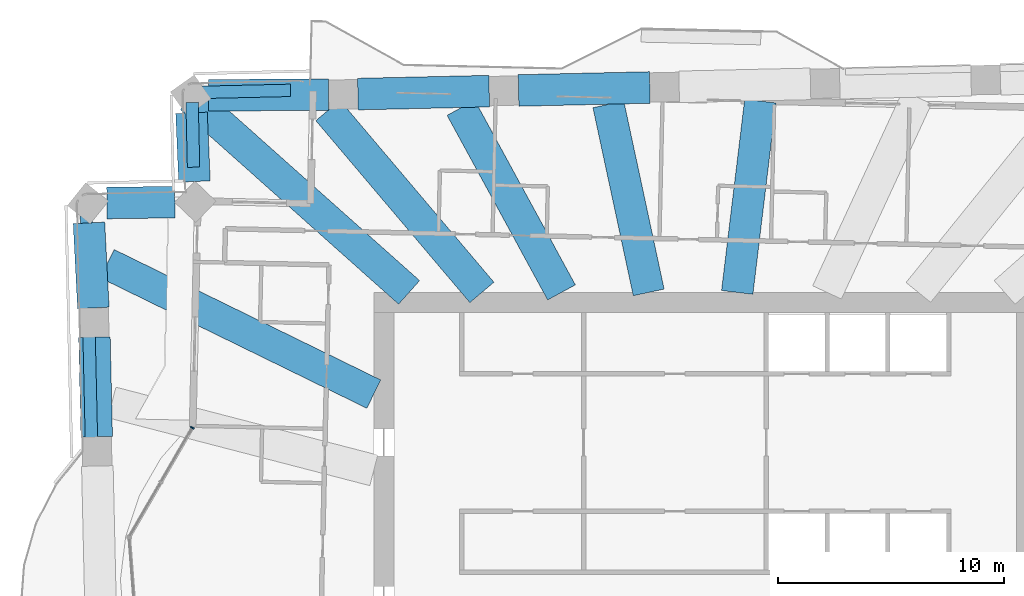
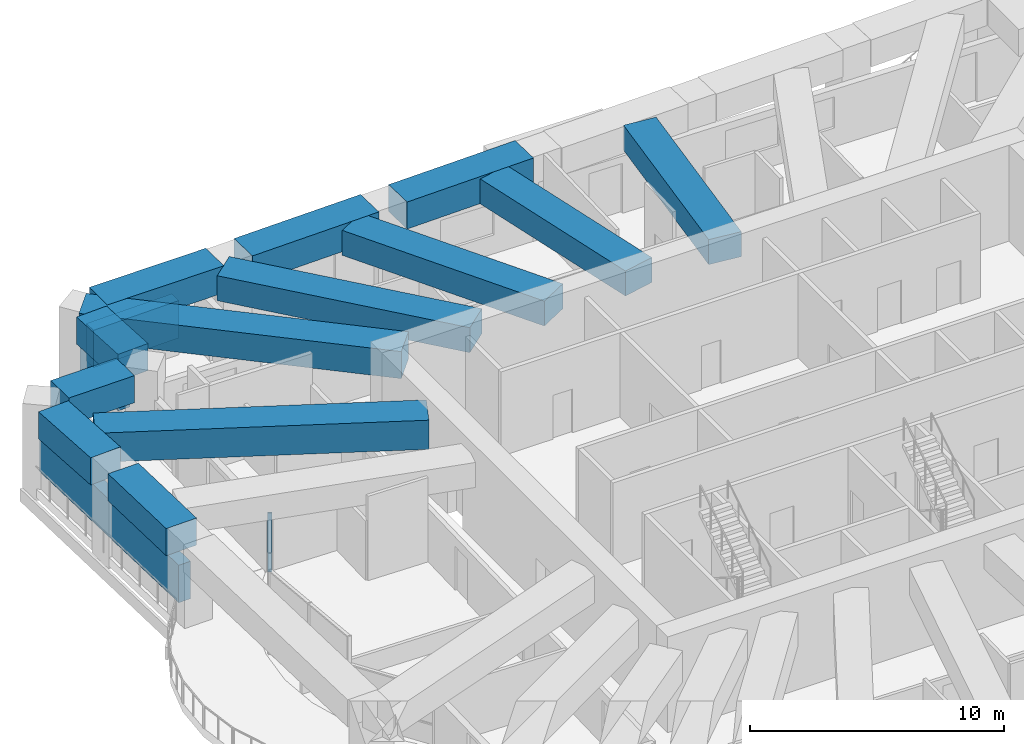
# One storey, part 5 of 17: 13 beams, 4 members, 1 element without a shape of its own.
"""IFC4 building model written with IfcOpenShell, lengths in metres."""

from ifc_helpers import new_model, si_unit, direction, frame, origin, origin_2d, place, context, subcontext, project, spatial, rectangle, extrude, material, material_profile, profile_set, type_object, element, aggregate, save


model = new_model("IFC4")

# Units and contexts
model_context = context("Model", 3, precision=1e-05, world=origin(), true_north=direction((0.0, 1.0)))
body_context = subcontext(model_context, "Body", "Model", "MODEL_VIEW")
ifc_project = project(units=[si_unit("LENGTHUNIT", "METRE"), si_unit("AREAUNIT", "SQUARE_METRE"), si_unit("VOLUMEUNIT", "CUBIC_METRE"), si_unit("PLANEANGLEUNIT", "RADIAN"), si_unit("MASSUNIT", "GRAM", prefix="KILO")], contexts=[model_context])

# Site, building, storey
site_placement = place(None, origin())
site = spatial("IfcSite", under=ifc_project, at=site_placement, CompositionType="ELEMENT")
building_placement = place(site_placement, origin())
building = spatial("IfcBuilding", under=site, at=building_placement, Name="Mangrove Gate Tower", CompositionType="ELEMENT")
storey_placement = place(building_placement, frame((0.0, 0.0, 148.10009765625)))
storey = spatial("IfcBuildingStorey", under=building, at=storey_placement, Name="L37", CompositionType="ELEMENT", Elevation=148.10009765625)

# Members
ifc_material_1 = material(Name="Planting on aluminium trellis", Category="aluminium")
ifc_material_profile_1 = material_profile(ifc_material_1, rectangle(XDim=0.550048828125, YDim=1.800048828125, at=origin_2d()))
ifc_profile_set_1 = profile_set([ifc_material_profile_1], Name="Planting on aluminium trellis")
member_type_1 = type_object("IfcMemberType", Name="Roof greenery screen 550x1800", PredefinedType="USERDEFINED", material=ifc_profile_set_1)
member_1_placement = place(storey_placement, frame((-27.20703125, 4.657958984375, 1.699951171875), z_axis=(-0.022627949603, 0.999743955169, 0.0), x_axis=(-0.999743955169, -0.022627949603, 0.0)))
element("IfcMember", 1, at=member_1_placement, inside=storey, type_object=member_type_1, Name="GREEN SCREEN L37 T3.1", ObjectType="PLANTING", PredefinedType="USERDEFINED", context=body_context, shape_type="SweptSolid", body=[
    extrude(rectangle(XDim=0.550048828125, YDim=1.800048828125, at=origin_2d()), origin(), (0.0, 0.0, 1.0), 10.562744140625),
])
member_2_placement = place(storey_placement, frame((-22.69091796875, 17.2509765625, 1.699951171875), z_axis=(-0.022667408064, 0.999743061297, 0.0), x_axis=(-0.999743061297, -0.022667408064, 0.0)))
element("IfcMember", 2, at=member_2_placement, inside=storey, type_object=member_type_1, Name="GREEN SCREEN L37 T3.3.6", ObjectType="PLANTING", PredefinedType="USERDEFINED", context=body_context, shape_type="SweptSolid", body=[
    extrude(rectangle(XDim=0.550048828125, YDim=1.800048828125, at=origin_2d()), origin(), (0.0, 0.0, 1.0), 2.875732421875),
])
member_3_placement = place(storey_placement, frame((-22.3310546875, 20.570068359375, 1.699951171875), z_axis=(0.999739976787, 0.022803043973, 0.0), x_axis=(-0.022803043973, 0.999739976787, 0.0)))
element("IfcMember", 3, at=member_3_placement, inside=storey, type_object=member_type_1, Name="GREEN SCREEN L37 T3.4.6", ObjectType="PLANTING", PredefinedType="USERDEFINED", context=body_context, shape_type="SweptSolid", body=[
    extrude(rectangle(XDim=0.550048828125, YDim=1.800048828125, at=origin_2d()), origin(), (0.0, 0.0, 1.0), 3.93994140625),
])

# Curtain wall, member
ifc_material_2 = material(Name="Aluminium and glass curtain wall", Category="aluminium")
curtain_wall_type = type_object("IfcCurtainWallType", Name="Sky-lounge glazing wall", PredefinedType="NOTDEFINED", material=ifc_material_2)
curtain_wall_placement = place(storey_placement, origin())
curtain_wall = element("IfcCurtainWall", 4, at=curtain_wall_placement, inside=storey, type_object=curtain_wall_type, Name="Sky-lounge glazing W9f1", PredefinedType="NOTDEFINED")
ifc_material_3 = material(Name="Aluminium alloy 6063-T6", Category="aluminium")
ifc_material_profile_2 = material_profile(ifc_material_3, rectangle(XDim=0.06005859375, YDim=0.179931640625, at=origin_2d()))
ifc_profile_set_2 = profile_set([ifc_material_profile_2], Name="Aluminium alloy 6063-T6")
member_type_2 = type_object("IfcMemberType", Name="Sky-lounge glazing mullion 60x180", PredefinedType="MULLION", material=ifc_profile_set_2)
member_4_placement = place(storey_placement, frame((-22.743896484375, 5.698486328125, 0.0), z_axis=(0.0, 0.0, 1.0), x_axis=(-0.500418160284, -0.865783844189, 0.0)))
member_4 = element("IfcMember", 5, at=member_4_placement, type_object=member_type_2, Name="CWK mullion 1", PredefinedType="MULLION", context=body_context, shape_type="SweptSolid", body=[
    extrude(rectangle(XDim=0.06005859375, YDim=0.179931640625, at=origin_2d()), origin(), (0.0, 0.0, 1.0), 2.849853515625),
])
aggregate(curtain_wall, [member_4])

# Beams
ifc_material_4 = material(Name="Concrete C60/75", Category="concrete")
ifc_material_profile_3 = material_profile(ifc_material_4, rectangle(XDim=1.39990234375, YDim=1.199951171875, at=origin_2d()))
ifc_profile_set_3 = profile_set([ifc_material_profile_3], Name="Concrete C60/75")
beam_type_1 = type_object("IfcBeamType", Name="Transfer girder RC 1400x1200 C60/75", PredefinedType="BEAM", material=ifc_profile_set_3)
beam_1_placement = place(storey_placement, frame((1.41552734375, 11.699951171875, 3.449951171875), z_axis=(0.120095899214, 0.992762295311, 0.0), x_axis=(-0.992762295311, 0.120095899214, 0.0)))
element("IfcBeam", 6, at=beam_1_placement, inside=storey, type_object=beam_type_1, Name="Transfer girder L37 22", PredefinedType="BEAM", context=body_context, shape_type="SweptSolid", body=[
    extrude(rectangle(XDim=1.39990234375, YDim=1.199951171875, at=origin_2d()), origin(), (0.0, 0.0, 1.0), 8.546142578125),
])
beam_2_placement = place(storey_placement, frame((-2.50927734375, 11.699951171875, 3.449951171875), z_axis=(-0.209703114052, 0.977765106739, 0.0), x_axis=(-0.977765106739, -0.209703114052, 0.0)))
element("IfcBeam", 7, at=beam_2_placement, inside=storey, type_object=beam_type_1, Name="Transfer girder L37 23", PredefinedType="BEAM", context=body_context, shape_type="SweptSolid", body=[
    extrude(rectangle(XDim=1.39990234375, YDim=1.199951171875, at=origin_2d()), origin(), (0.0, 0.0, 1.0), 8.52685546875),
])
beam_3_placement = place(storey_placement, frame((-6.375, 11.699951171875, 3.449951171875), z_axis=(-0.478450191012, 0.878114693375, 0.0), x_axis=(-0.878114693375, -0.478450191012, 0.0)))
element("IfcBeam", 8, at=beam_3_placement, inside=storey, type_object=beam_type_1, Name="Transfer girder L37 24", PredefinedType="BEAM", context=body_context, shape_type="SweptSolid", body=[
    extrude(rectangle(XDim=1.39990234375, YDim=1.199951171875, at=origin_2d()), origin(), (0.0, 0.0, 1.0), 9.3212890625),
])
beam_4_placement = place(storey_placement, frame((-9.90576171875, 11.699951171875, 3.449951171875), z_axis=(-0.646157558614, 0.763204041817, 0.0), x_axis=(-0.763204041817, -0.646157558614, 0.0)))
element("IfcBeam", 9, at=beam_4_placement, inside=storey, type_object=beam_type_1, Name="Transfer girder L37 25", PredefinedType="BEAM", context=body_context, shape_type="SweptSolid", body=[
    extrude(rectangle(XDim=1.39990234375, YDim=1.199951171875, at=origin_2d()), origin(), (0.0, 0.0, 1.0), 10.571044921875),
])
ifc_material_5 = material(Name="Concrete C60/75", Category="concrete")
ifc_material_profile_4 = material_profile(ifc_material_5, rectangle(XDim=1.39990234375, YDim=1.300048828125, at=origin_2d()))
ifc_profile_set_4 = profile_set([ifc_material_profile_4], Name="Concrete C60/75")
beam_type_2 = type_object("IfcBeamType", Name="Transfer girder RC 1400x1300 C60/75", PredefinedType="BEAM", material=ifc_profile_set_4)
beam_5_placement = place(storey_placement, frame((-2.458984375, 20.786376953125, 3.39990234375), z_axis=(-0.999741857186, -0.022720453126, 0.0), x_axis=(0.022720453126, -0.999741857186, 0.0)))
element("IfcBeam", 10, at=beam_5_placement, inside=storey, type_object=beam_type_2, Name="Transfer ring girder L37 22", PredefinedType="BEAM", context=body_context, shape_type="SweptSolid", body=[
    extrude(rectangle(XDim=1.39990234375, YDim=1.300048828125, at=origin_2d()), origin(), (0.0, 0.0, 1.0), 5.823974609375),
])
beam_6_placement = place(storey_placement, frame((-9.5810546875, 20.62451171875, 3.39990234375), z_axis=(-0.999744684453, -0.022595705507, 0.0), x_axis=(0.022595705507, -0.999744684453, 0.0)))
element("IfcBeam", 11, at=beam_6_placement, inside=storey, type_object=beam_type_2, Name="Transfer ring girder L37 23", PredefinedType="BEAM", context=body_context, shape_type="SweptSolid", body=[
    extrude(rectangle(XDim=1.39990234375, YDim=1.300048828125, at=origin_2d()), origin(), (0.0, 0.0, 1.0), 5.82373046875),
])
beam_7_placement = place(storey_placement, frame((-16.703369140625, 20.47412109375, 3.39990234375), z_axis=(-0.999979944176, -0.006333343995, 0.0), x_axis=(0.006333343995, -0.999979944176, 0.0)))
element("IfcBeam", 12, at=beam_7_placement, inside=storey, type_object=beam_type_2, Name="Transfer ring girder L37 24", PredefinedType="BEAM", context=body_context, shape_type="SweptSolid", body=[
    extrude(rectangle(XDim=1.39990234375, YDim=1.300048828125, at=origin_2d()), origin(), (0.0, 0.0, 1.0), 5.319580078125),
])
beam_8_placement = place(storey_placement, frame((-22.7822265625, 19.662841796875, 3.39990234375), z_axis=(0.04309999765, -0.999070763361, 0.0), x_axis=(0.999070763361, 0.04309999765, 0.0)))
element("IfcBeam", 13, at=beam_8_placement, inside=storey, type_object=beam_type_2, Name="Transfer ring girder L37 25", PredefinedType="BEAM", context=body_context, shape_type="SweptSolid", body=[
    extrude(rectangle(XDim=1.39990234375, YDim=1.300048828125, at=origin_2d()), origin(), (0.0, 0.0, 1.0), 3.047607421875),
])
beam_9_placement = place(storey_placement, frame((-23.523193359375, 15.705078125, 3.39990234375), z_axis=(-0.999902574754, -0.013958545805, 0.0), x_axis=(0.013958545805, -0.999902574754, 0.0)))
element("IfcBeam", 14, at=beam_9_placement, inside=storey, type_object=beam_type_2, Name="Transfer ring girder L37 26", PredefinedType="BEAM", context=body_context, shape_type="SweptSolid", body=[
    extrude(rectangle(XDim=1.39990234375, YDim=1.300048828125, at=origin_2d()), origin(), (0.0, 0.0, 1.0), 3.00830078125),
])
beam_10_placement = place(storey_placement, frame((-27.3291015625, 14.781982421875, 3.39990234375), z_axis=(0.05146940493, -0.998674571798, 0.0), x_axis=(0.998674571798, 0.05146940493, 0.0)))
element("IfcBeam", 15, at=beam_10_placement, inside=storey, type_object=beam_type_2, Name="Transfer ring girder L37 27", PredefinedType="BEAM", context=body_context, shape_type="SweptSolid", body=[
    extrude(rectangle(XDim=1.39990234375, YDim=1.300048828125, at=origin_2d()), origin(), (0.0, 0.0, 1.0), 3.775634765625),
])
beam_11_placement = place(storey_placement, frame((-27.08642578125, 9.7119140625, 3.39990234375), z_axis=(0.022745290406, -0.999741292417, 0.0), x_axis=(0.999741292417, 0.022745290406, 0.0)))
element("IfcBeam", 16, at=beam_11_placement, inside=storey, type_object=beam_type_2, Name="Transfer ring girder L37 28", PredefinedType="BEAM", context=body_context, shape_type="SweptSolid", body=[
    extrude(rectangle(XDim=1.39990234375, YDim=1.300048828125, at=origin_2d()), origin(), (0.0, 0.0, 1.0), 4.41162109375),
])
beam_12_placement = place(storey_placement, frame((-13.132568359375, 11.699951171875, 3.39990234375), z_axis=(-0.746654400303, 0.665212151504, 0.0), x_axis=(-0.665212151504, -0.746654400303, 0.0)))
element("IfcBeam", 17, at=beam_12_placement, inside=storey, type_object=beam_type_2, Name="Transfer girder L37 26", PredefinedType="BEAM", context=body_context, shape_type="SweptSolid", body=[
    extrude(rectangle(XDim=1.39990234375, YDim=1.300048828125, at=origin_2d()), origin(), (0.0, 0.0, 1.0), 12.962158203125),
])
ifc_material_6 = material(Name="Concrete C60/75", Category="concrete")
ifc_material_profile_5 = material_profile(ifc_material_6, rectangle(XDim=1.39990234375, YDim=1.39990234375, at=origin_2d()))
ifc_profile_set_5 = profile_set([ifc_material_profile_5], Name="Concrete C60/75")
beam_type_3 = type_object("IfcBeamType", Name="Transfer girder RC 1400x1400 C60/75", PredefinedType="BEAM", material=ifc_profile_set_5)
beam_13_placement = place(storey_placement, frame((-14.699951171875, 7.191162109375, 3.349853515625), z_axis=(-0.898282963585, 0.439417474997, 0.0), x_axis=(-0.439417474997, -0.898282963585, 0.0)))
element("IfcBeam", 18, at=beam_13_placement, inside=storey, type_object=beam_type_3, Name="Transfer girder L37 28", PredefinedType="BEAM", context=body_context, shape_type="SweptSolid", body=[
    extrude(rectangle(XDim=1.39990234375, YDim=1.39990234375, at=origin_2d()), origin(), (0.0, 0.0, 1.0), 13.156005859375),
])

save(model, "model.ifc")
